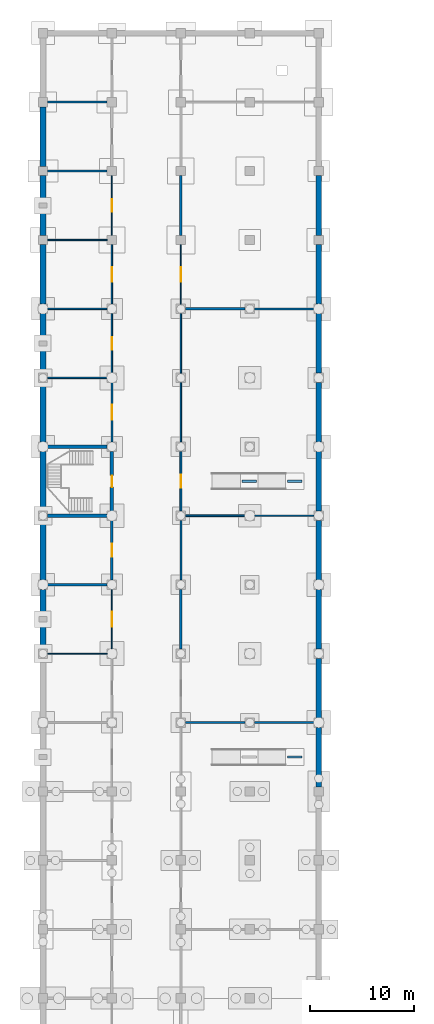
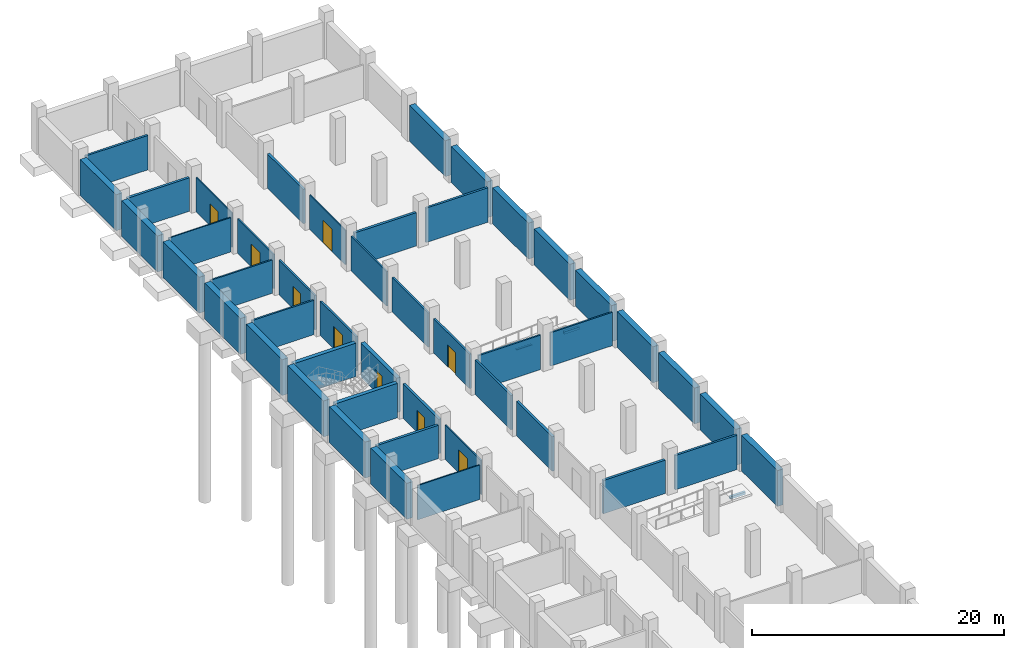
# One storey, part 13 of 18: 49 walls, 9 doors, 9 openings.
"""IFC4 building model written with IfcOpenShell, lengths in metres."""

from ifc_helpers import new_model, si_unit, direction, frame, frame_2d, origin, place, context, subcontext, project, spatial, rectangle, extrude, material, layer, layer_set, type_object, element, fill, save


model = new_model("IFC4")

# Units and contexts
model_context = context("Model", 3, precision=1e-05, world=origin(), true_north=direction((0.0, 1.0)))
body_context = subcontext(model_context, "Body", "Model", "MODEL_VIEW")
ifc_project = project(units=[si_unit("LENGTHUNIT", "METRE"), si_unit("AREAUNIT", "SQUARE_METRE"), si_unit("VOLUMEUNIT", "CUBIC_METRE"), si_unit("PLANEANGLEUNIT", "RADIAN"), si_unit("MASSUNIT", "GRAM", prefix="KILO")], contexts=[model_context])

# Site, building, storey
site_placement = place(None, origin())
site = spatial("IfcSite", under=ifc_project, at=site_placement, CompositionType="ELEMENT")
building_placement = place(site_placement, origin())
building = spatial("IfcBuilding", under=site, at=building_placement, Name="Rusizi Kubbe Research Institute", CompositionType="ELEMENT")
storey_placement = place(building_placement, frame((0.0, 0.0, -4.5)))
storey = spatial("IfcBuildingStorey", under=building, at=storey_placement, Name="B01", CompositionType="ELEMENT", Elevation=-4.5)

# Walls
ifc_material_1 = material(Name="Concrete C45/55", Category="concrete")
ifc_layer_1 = layer(ifc_material_1, 0.35009765625)
ifc_layer_set_1 = layer_set([ifc_layer_1], Name="Concrete C45/55")
wall_type_1 = type_object("IfcWallType", Name="CRW-01", PredefinedType="SHEAR", material=ifc_layer_set_1)
wall_1_placement = place(storey_placement, frame((0.449951171875, 125.39990234375, 0.0), z_axis=(0.0, 0.0, 1.0), x_axis=(1.0, 0.0, 0.0)))
element("IfcWall", 1, at=wall_1_placement, inside=storey, type_object=wall_type_1, Name="Stair Core Shear Wall ST6 B01 S", PredefinedType="SHEAR", context=body_context, shape_type="SweptSolid", body=[
    extrude(rectangle(XDim=5.699951171875, YDim=0.35009765625, at=frame_2d((2.85009765625, 0.0))), origin(), (0.0, 0.0, 1.0), 3.340087890625),
])
wall_2_placement = place(storey_placement, frame((0.449951171875, 132.0, 0.0), z_axis=(0.0, 0.0, 1.0), x_axis=(1.0, 0.0, 0.0)))
element("IfcWall", 2, at=wall_2_placement, inside=storey, type_object=wall_type_1, Name="Stair Core Shear Wall ST6 B01 N", PredefinedType="SHEAR", context=body_context, shape_type="SweptSolid", body=[
    extrude(rectangle(XDim=5.699951171875, YDim=0.35009765625, at=frame_2d((2.85009765625, 0.0))), origin(), (0.0, 0.0, 1.0), 3.239990234375),
])

# Wall, opening, door
wall_3_placement = place(storey_placement, frame((6.60009765625, 125.85009765625, 0.0), z_axis=(0.0, 0.0, 1.0), x_axis=(0.0, 1.0, 0.0)))
wall_3 = element("IfcWall", 3, at=wall_3_placement, inside=storey, type_object=wall_type_1, Name="Stair Core Shear Wall ST6 B01 E", PredefinedType="SHEAR", context=body_context, shape_type="SweptSolid", body=[
    extrude(rectangle(XDim=5.699951171875, YDim=0.35009765625, at=frame_2d((2.85009765625, 0.0))), origin(), (0.0, 0.0, 1.0), 3.340087890625),
])
opening_1_placement = place(wall_3_placement, frame((2.300048828125, 0.0, 0.0)))
opening_1 = element("IfcOpeningElement", 4, at=opening_1_placement, cuts=wall_3, Name="Opening D-01", PredefinedType="OPENING", context=body_context, shape_type="SweptSolid", body=[
    extrude(rectangle(XDim=1.10009765625, YDim=2.14990234375, at=frame_2d((0.550048828125, 1.074951171875))), frame((0.0, 0.18505859375, 0.0), z_axis=(0.0, -1.0, 0.0), x_axis=(1.0, 0.0, 0.0)), (0.0, 0.0, 1.0), 0.3701171875),
])
ifc_material_2 = material(Name="Fire-Rated Steel Frame and Acoustic Timber Leaf", Category="wood")
door_type_1 = type_object("IfcDoorType", Name="ID-STAIR-110", OperationType="NOTDEFINED", PredefinedType="DOOR", material=ifc_material_2)
door_1_placement = place(opening_1_placement, origin())
door_1 = element("IfcDoor", 5, at=door_1_placement, inside=storey, type_object=door_type_1, Name="Exit Stair Door ST6 B01", OperationType="SINGLE_SWING_LEFT", OverallHeight=2.14990234375, OverallWidth=1.10009765625, PredefinedType="DOOR", context=body_context, shape_type="SweptSolid", body=[
    extrude(rectangle(XDim=1.10009765625, YDim=2.14990234375, at=frame_2d((0.550048828125, 1.074951171875))), frame((0.0, 0.02490234375, 0.0), z_axis=(0.0, -1.0, 0.0), x_axis=(1.0, 0.0, 0.0)), (0.0, 0.0, 1.0), 0.050048828125),
])
fill(opening_1, door_1)

# Wall
ifc_material_3 = material(Name="Concrete Blockwork Fire Partition", Category="masonry")
ifc_layer_2 = layer(ifc_material_3, 0.22509765625)
ifc_layer_set_2 = layer_set([ifc_layer_2], Name="Concrete Blockwork Fire Partition")
wall_type_2 = type_object("IfcWallType", Name="IW-01", PredefinedType="PARTITIONING", material=ifc_layer_set_2)
wall_4_placement = place(storey_placement, frame((0.449951171875, 118.800048828125, 0.0), z_axis=(0.0, 0.0, 1.0), x_axis=(1.0, 0.0, 0.0)))
element("IfcWall", 6, at=wall_4_placement, inside=storey, type_object=wall_type_2, Name="Interior Partition Wall B01 H0-18", PredefinedType="PARTITIONING", context=body_context, shape_type="SweptSolid", body=[
    extrude(rectangle(XDim=5.699951171875, YDim=0.22509765625, at=frame_2d((2.85009765625, 0.0))), origin(), (0.0, 0.0, 1.0), 3.239990234375),
])

# Wall, opening, door
wall_5_placement = place(storey_placement, frame((6.60009765625, 119.25, 0.0), z_axis=(0.0, 0.0, 1.0), x_axis=(0.0, 1.0, 0.0)))
wall_5 = element("IfcWall", 7, at=wall_5_placement, inside=storey, type_object=wall_type_2, Name="Interior Partition Wall B01 V1-18", PredefinedType="PARTITIONING", context=body_context, shape_type="SweptSolid", body=[
    extrude(rectangle(XDim=5.699951171875, YDim=0.22509765625, at=frame_2d((2.85009765625, 0.0))), origin(), (0.0, 0.0, 1.0), 3.340087890625),
])
opening_2_placement = place(wall_5_placement, frame((2.239990234375, 0.0, 0.0)))
opening_2 = element("IfcOpeningElement", 8, at=opening_2_placement, cuts=wall_5, Name="Opening D-21", PredefinedType="OPENING", context=body_context, shape_type="SweptSolid", body=[
    extrude(rectangle(XDim=1.219970703125, YDim=2.14990234375, at=frame_2d((0.60986328125, 1.074951171875))), frame((0.0, 0.12255859375, 0.0), z_axis=(0.0, -1.0, 0.0), x_axis=(1.0, 0.0, 0.0)), (0.0, 0.0, 1.0), 0.2451171875),
])
ifc_material_4 = material(Name="Fire-Rated Steel Frame and Acoustic Timber Leaf", Category="wood")
door_type_2 = type_object("IfcDoorType", Name="ID-STR-122", OperationType="NOTDEFINED", PredefinedType="DOOR", material=ifc_material_4)
door_2_placement = place(opening_2_placement, origin())
door_2 = element("IfcDoor", 9, at=door_2_placement, inside=storey, type_object=door_type_2, Name="Door to Staff and Accessible Parking Zone (B01-B01W-18)", OperationType="SINGLE_SWING_RIGHT", OverallHeight=2.14990234375, OverallWidth=1.219970703125, PredefinedType="DOOR", context=body_context, shape_type="SweptSolid", body=[
    extrude(rectangle(XDim=1.219970703125, YDim=2.14990234375, at=frame_2d((0.60986328125, 1.074951171875))), frame((0.0, 0.02490234375, 0.0), z_axis=(0.0, -1.0, 0.0), x_axis=(1.0, 0.0, 0.0)), (0.0, 0.0, 1.0), 0.050048828125),
])
fill(opening_2, door_2)

# Walls
wall_6_placement = place(storey_placement, frame((0.449951171875, 158.39990234375, 0.0), z_axis=(0.0, 0.0, 1.0), x_axis=(1.0, 0.0, 0.0)))
element("IfcWall", 10, at=wall_6_placement, inside=storey, type_object=wall_type_2, Name="Interior Partition Wall B01 H0-24", PredefinedType="PARTITIONING", context=body_context, shape_type="SweptSolid", body=[
    extrude(rectangle(XDim=5.699951171875, YDim=0.22509765625, at=frame_2d((2.85009765625, 0.0))), origin(), (0.0, 0.0, 1.0), 3.239990234375),
])
wall_7_placement = place(storey_placement, frame((13.199951171875, 112.64990234375, 0.0), z_axis=(0.0, 0.0, 1.0), x_axis=(0.0, 1.0, 0.0)))
element("IfcWall", 11, at=wall_7_placement, inside=storey, type_object=wall_type_2, Name="Interior Partition Wall B01 V2-17", PredefinedType="PARTITIONING", context=body_context, shape_type="SweptSolid", body=[
    extrude(rectangle(XDim=5.7001953125, YDim=0.22509765625, at=frame_2d((2.85009765625, 0.0))), origin(), (0.0, 0.0, 1.0), 3.340087890625),
])
wall_8_placement = place(storey_placement, frame((13.199951171875, 152.25, 0.0), z_axis=(0.0, 0.0, 1.0), x_axis=(0.0, 1.0, 0.0)))
element("IfcWall", 12, at=wall_8_placement, inside=storey, type_object=wall_type_2, Name="Interior Partition Wall B01 V2-23", PredefinedType="PARTITIONING", context=body_context, shape_type="SweptSolid", body=[
    extrude(rectangle(XDim=5.699951171875, YDim=0.22509765625, at=frame_2d((2.85009765625, 0.0))), origin(), (0.0, 0.0, 1.0), 3.340087890625),
])
for number, where, z_axis, x_axis, name in (
    (13, (13.64990234375, 105.60009765625, 0.0), (0.0, 0.0, 1.0), (1.0, 0.0, 0.0), "Interior Partition Wall B01 H2-16"),
    (14, (13.64990234375, 145.199951171875, 0.0), (0.0, 0.0, 1.0), (1.0, 0.0, 0.0), "Interior Partition Wall B01 H2-22"),
):
    element("IfcWall", number, at=place(storey_placement, frame(where, z_axis=z_axis, x_axis=x_axis)), inside=storey, type_object=wall_type_2, Name=name, PredefinedType="PARTITIONING", context=body_context, shape_type="SweptSolid", body=[
        extrude(rectangle(XDim=5.7001953125, YDim=0.22509765625, at=frame_2d((2.85009765625, 0.0))), origin(), (0.0, 0.0, 1.0), 3.239990234375),
    ])
ifc_material_5 = material(Name="Insulated Cleanroom Partition", Category="masonry")
ifc_layer_3 = layer(ifc_material_5, 0.195068359375)
ifc_layer_set_3 = layer_set([ifc_layer_3], Name="Insulated Cleanroom Partition")
wall_type_3 = type_object("IfcWallType", Name="IW-02", PredefinedType="PARTITIONING", material=ifc_layer_set_3)
for number, where, z_axis, x_axis, name in (
    (15, (0.449951171875, 165.0, 0.0), (0.0, 0.0, 1.0), (1.0, 0.0, 0.0), "Interior Partition Wall B01 H0-25"),
    (16, (13.199951171875, 119.25, 0.0), (0.0, 0.0, 1.0), (0.0, 1.0, 0.0), "Interior Partition Wall B01 V2-18"),
    (17, (20.25, 105.60009765625, 0.0), (0.0, 0.0, 1.0), (1.0, 0.0, 0.0), "Interior Partition Wall B01 H3-16"),
    (18, (20.25, 145.199951171875, 0.0), (0.0, 0.0, 1.0), (1.0, 0.0, 0.0), "Interior Partition Wall B01 H3-22"),
):
    element("IfcWall", number, at=place(storey_placement, frame(where, z_axis=z_axis, x_axis=x_axis)), inside=storey, type_object=wall_type_3, Name=name, PredefinedType="PARTITIONING", context=body_context, shape_type="SweptSolid", body=[
        extrude(rectangle(XDim=5.699951171875, YDim=0.195068359375, at=frame_2d((2.85009765625, 0.0))), origin(), (0.0, 0.0, 1.0), 3.340087890625),
    ])

# Wall, opening, door
ifc_material_6 = material(Name="Acoustic Laboratory Partition", Category="masonry")
ifc_layer_4 = layer(ifc_material_6, 0.175048828125)
ifc_layer_set_4 = layer_set([ifc_layer_4], Name="Acoustic Laboratory Partition")
wall_type_4 = type_object("IfcWallType", Name="IW-03", PredefinedType="PARTITIONING", material=ifc_layer_set_4)
wall_9_placement = place(storey_placement, frame((6.60009765625, 132.449951171875, 0.0), z_axis=(0.0, 0.0, 1.0), x_axis=(0.0, 1.0, 0.0)))
wall_9 = element("IfcWall", 19, at=wall_9_placement, inside=storey, type_object=wall_type_4, Name="Interior Partition Wall B01 V1-20", PredefinedType="PARTITIONING", context=body_context, shape_type="SweptSolid", body=[
    extrude(rectangle(XDim=5.699951171875, YDim=0.175048828125, at=frame_2d((2.85009765625, 0.0))), origin(), (0.0, 0.0, 1.0), 3.340087890625),
])
opening_3_placement = place(wall_9_placement, frame((2.139892578125, 0.0, 0.0)))
opening_3 = element("IfcOpeningElement", 20, at=opening_3_placement, cuts=wall_9, Name="Opening D-22", PredefinedType="OPENING", context=body_context, shape_type="SweptSolid", body=[
    extrude(rectangle(XDim=1.419921875, YDim=2.199951171875, at=frame_2d((0.7099609375, 1.10009765625))), frame((0.0, 0.097412109375, 0.0), z_axis=(0.0, -1.0, 0.0), x_axis=(1.0, 0.0, 0.0)), (0.0, 0.0, 1.0), 0.195068359375),
])
ifc_material_7 = material(Name="Fire-Rated Steel Frame and Acoustic Timber Leaf", Category="wood")
door_type_3 = type_object("IfcDoorType", Name="ID-STR-142", OperationType="DOUBLE_DOOR_SINGLE_SWING", PredefinedType="DOOR", material=ifc_material_7)
door_3_placement = place(opening_3_placement, origin())
door_3 = element("IfcDoor", 21, at=door_3_placement, inside=storey, type_object=door_type_3, Name="Door to Staff and Accessible Parking Zone (B01-B01W-20)", OperationType="DOUBLE_DOOR_SINGLE_SWING", OverallHeight=2.199951171875, OverallWidth=1.419921875, PredefinedType="DOOR", context=body_context, shape_type="SweptSolid", body=[
    extrude(rectangle(XDim=1.419921875, YDim=2.199951171875, at=frame_2d((0.7099609375, 1.10009765625))), frame((0.0, 0.02490234375, 0.0), z_axis=(0.0, -1.0, 0.0), x_axis=(1.0, 0.0, 0.0)), (0.0, 0.0, 1.0), 0.050048828125),
])
fill(opening_3, door_3)

wall_10_placement = place(storey_placement, frame((13.199951171875, 125.85009765625, 0.0), z_axis=(0.0, 0.0, 1.0), x_axis=(0.0, 1.0, 0.0)))
wall_10 = element("IfcWall", 22, at=wall_10_placement, inside=storey, type_object=wall_type_4, Name="Interior Partition Wall B01 V2-19", PredefinedType="PARTITIONING", context=body_context, shape_type="SweptSolid", body=[
    extrude(rectangle(XDim=5.699951171875, YDim=0.175048828125, at=frame_2d((2.85009765625, 0.0))), origin(), (0.0, 0.0, 1.0), 3.340087890625),
])
opening_4_placement = place(wall_10_placement, frame((2.239990234375, 0.0, 0.0)))
opening_4 = element("IfcOpeningElement", 23, at=opening_4_placement, cuts=wall_10, Name="Opening D-21", PredefinedType="OPENING", context=body_context, shape_type="SweptSolid", body=[
    extrude(rectangle(XDim=1.219970703125, YDim=2.14990234375, at=frame_2d((0.60986328125, 1.074951171875))), frame((0.0, 0.097412109375, 0.0), z_axis=(0.0, -1.0, 0.0), x_axis=(1.0, 0.0, 0.0)), (0.0, 0.0, 1.0), 0.195068359375),
])
door_4_placement = place(opening_4_placement, origin())
door_4 = element("IfcDoor", 24, at=door_4_placement, inside=storey, type_object=door_type_2, Name="Door to Basement Vehicle Parking Hall (B01-NW-07)", OperationType="SINGLE_SWING_RIGHT", OverallHeight=2.14990234375, OverallWidth=1.219970703125, PredefinedType="DOOR", context=body_context, shape_type="SweptSolid", body=[
    extrude(rectangle(XDim=1.219970703125, YDim=2.14990234375, at=frame_2d((0.60986328125, 1.074951171875))), frame((0.0, 0.02490234375, 0.0), z_axis=(0.0, -1.0, 0.0), x_axis=(1.0, 0.0, 0.0)), (0.0, 0.0, 1.0), 0.050048828125),
])
fill(opening_4, door_4)

# Wall
ifc_material_8 = material(Name="Fire-Rated Corridor Partition", Category="masonry")
ifc_layer_5 = layer(ifc_material_8, 0.155029296875)
ifc_layer_set_5 = layer_set([ifc_layer_5], Name="Fire-Rated Corridor Partition")
wall_type_5 = type_object("IfcWallType", Name="IW-04", PredefinedType="PARTITIONING", material=ifc_layer_set_5)
wall_11_placement = place(storey_placement, frame((0.449951171875, 138.60009765625, 0.0), z_axis=(0.0, 0.0, 1.0), x_axis=(1.0, 0.0, 0.0)))
element("IfcWall", 25, at=wall_11_placement, inside=storey, type_object=wall_type_5, Name="Interior Partition Wall B01 H0-21", PredefinedType="PARTITIONING", context=body_context, shape_type="SweptSolid", body=[
    extrude(rectangle(XDim=5.699951171875, YDim=0.155029296875, at=frame_2d((2.85009765625, 0.0))), origin(), (0.0, 0.0, 1.0), 3.340087890625),
])

# Wall, opening, door
wall_12_placement = place(storey_placement, frame((6.60009765625, 139.050048828125, 0.0), z_axis=(0.0, 0.0, 1.0), x_axis=(0.0, 1.0, 0.0)))
wall_12 = element("IfcWall", 26, at=wall_12_placement, inside=storey, type_object=wall_type_5, Name="Interior Partition Wall B01 V1-21", PredefinedType="PARTITIONING", context=body_context, shape_type="SweptSolid", body=[
    extrude(rectangle(XDim=5.699951171875, YDim=0.155029296875, at=frame_2d((2.85009765625, 0.0))), origin(), (0.0, 0.0, 1.0), 3.340087890625),
])
opening_5_placement = place(wall_12_placement, frame((2.239990234375, 0.0, 0.0)))
opening_5 = element("IfcOpeningElement", 27, at=opening_5_placement, cuts=wall_12, Name="Opening D-21", PredefinedType="OPENING", context=body_context, shape_type="SweptSolid", body=[
    extrude(rectangle(XDim=1.219970703125, YDim=2.14990234375, at=frame_2d((0.60986328125, 1.074951171875))), frame((0.0, 0.08740234375, 0.0), z_axis=(0.0, -1.0, 0.0), x_axis=(1.0, 0.0, 0.0)), (0.0, 0.0, 1.0), 0.175048828125),
])
door_5_placement = place(opening_5_placement, origin())
door_5 = element("IfcDoor", 28, at=door_5_placement, inside=storey, type_object=door_type_2, Name="Door to Staff and Accessible Parking Zone (B01-B01W-21)", OperationType="SINGLE_SWING_RIGHT", OverallHeight=2.14990234375, OverallWidth=1.219970703125, PredefinedType="DOOR", context=body_context, shape_type="SweptSolid", body=[
    extrude(rectangle(XDim=1.219970703125, YDim=2.14990234375, at=frame_2d((0.60986328125, 1.074951171875))), frame((0.0, 0.02490234375, 0.0), z_axis=(0.0, -1.0, 0.0), x_axis=(1.0, 0.0, 0.0)), (0.0, 0.0, 1.0), 0.050048828125),
])
fill(opening_5, door_5)

# Walls
wall_13_placement = place(storey_placement, frame((13.199951171875, 132.449951171875, 0.0), z_axis=(0.0, 0.0, 1.0), x_axis=(0.0, 1.0, 0.0)))
element("IfcWall", 29, at=wall_13_placement, inside=storey, type_object=wall_type_5, Name="Interior Partition Wall B01 V2-20", PredefinedType="PARTITIONING", context=body_context, shape_type="SweptSolid", body=[
    extrude(rectangle(XDim=5.699951171875, YDim=0.155029296875, at=frame_2d((2.85009765625, 0.0))), origin(), (0.0, 0.0, 1.0), 3.340087890625),
])
wall_14_placement = place(storey_placement, frame((13.64990234375, 125.39990234375, 0.0), z_axis=(0.0, 0.0, 1.0), x_axis=(1.0, 0.0, 0.0)))
element("IfcWall", 30, at=wall_14_placement, inside=storey, type_object=wall_type_5, Name="Interior Partition Wall B01 H2-19", PredefinedType="PARTITIONING", context=body_context, shape_type="SweptSolid", body=[
    extrude(rectangle(XDim=5.7001953125, YDim=0.155029296875, at=frame_2d((2.85009765625, 0.0))), origin(), (0.0, 0.0, 1.0), 3.340087890625),
])
ifc_material_9 = material(Name="Write-up Glazed Acoustic Partition", Category="masonry")
ifc_layer_6 = layer(ifc_material_9, 0.139892578125)
ifc_layer_set_6 = layer_set([ifc_layer_6], Name="Write-up Glazed Acoustic Partition")
wall_type_6 = type_object("IfcWallType", Name="IW-05", PredefinedType="PARTITIONING", material=ifc_layer_set_6)
wall_15_placement = place(storey_placement, frame((0.449951171875, 145.199951171875, 0.0), z_axis=(0.0, 0.0, 1.0), x_axis=(1.0, 0.0, 0.0)))
element("IfcWall", 31, at=wall_15_placement, inside=storey, type_object=wall_type_6, Name="Interior Partition Wall B01 H0-22", PredefinedType="PARTITIONING", context=body_context, shape_type="SweptSolid", body=[
    extrude(rectangle(XDim=5.699951171875, YDim=0.139892578125, at=frame_2d((2.85009765625, 0.0))), origin(), (0.0, 0.0, 1.0), 3.239990234375),
])

# Wall, opening, door
wall_16_placement = place(storey_placement, frame((6.60009765625, 145.64990234375, 0.0), z_axis=(0.0, 0.0, 1.0), x_axis=(0.0, 1.0, 0.0)))
wall_16 = element("IfcWall", 32, at=wall_16_placement, inside=storey, type_object=wall_type_6, Name="Interior Partition Wall B01 V1-22", PredefinedType="PARTITIONING", context=body_context, shape_type="SweptSolid", body=[
    extrude(rectangle(XDim=5.7001953125, YDim=0.139892578125, at=frame_2d((2.85009765625, 0.0))), origin(), (0.0, 0.0, 1.0), 3.340087890625),
])
opening_6_placement = place(wall_16_placement, frame((2.139892578125, 0.0, 0.0)))
opening_6 = element("IfcOpeningElement", 33, at=opening_6_placement, cuts=wall_16, Name="Opening D-22", PredefinedType="OPENING", context=body_context, shape_type="SweptSolid", body=[
    extrude(rectangle(XDim=1.419921875, YDim=2.199951171875, at=frame_2d((0.7099609375, 1.10009765625))), frame((0.0, 0.079833984375, 0.0), z_axis=(0.0, -1.0, 0.0), x_axis=(1.0, 0.0, 0.0)), (0.0, 0.0, 1.0), 0.159912109375),
])
door_6_placement = place(opening_6_placement, origin())
door_6 = element("IfcDoor", 34, at=door_6_placement, inside=storey, type_object=door_type_3, Name="Door to Staff and Accessible Parking Zone (B01-B01W-22)", OperationType="DOUBLE_DOOR_SINGLE_SWING", OverallHeight=2.199951171875, OverallWidth=1.419921875, PredefinedType="DOOR", context=body_context, shape_type="SweptSolid", body=[
    extrude(rectangle(XDim=1.419921875, YDim=2.199951171875, at=frame_2d((0.7099609375, 1.10009765625))), frame((0.0, 0.02490234375, 0.0), z_axis=(0.0, -1.0, 0.0), x_axis=(1.0, 0.0, 0.0)), (0.0, 0.0, 1.0), 0.050048828125),
])
fill(opening_6, door_6)

# Walls
wall_17_placement = place(storey_placement, frame((13.199951171875, 139.050048828125, 0.0), z_axis=(0.0, 0.0, 1.0), x_axis=(0.0, 1.0, 0.0)))
element("IfcWall", 35, at=wall_17_placement, inside=storey, type_object=wall_type_6, Name="Interior Partition Wall B01 V2-21", PredefinedType="PARTITIONING", context=body_context, shape_type="SweptSolid", body=[
    extrude(rectangle(XDim=5.699951171875, YDim=0.139892578125, at=frame_2d((2.85009765625, 0.0))), origin(), (0.0, 0.0, 1.0), 3.340087890625),
])
wall_18_placement = place(storey_placement, frame((20.25, 125.39990234375, 0.0), z_axis=(0.0, 0.0, 1.0), x_axis=(1.0, 0.0, 0.0)))
element("IfcWall", 36, at=wall_18_placement, inside=storey, type_object=wall_type_6, Name="Interior Partition Wall B01 H3-19", PredefinedType="PARTITIONING", context=body_context, shape_type="SweptSolid", body=[
    extrude(rectangle(XDim=5.699951171875, YDim=0.139892578125, at=frame_2d((2.85009765625, 0.0))), origin(), (0.0, 0.0, 1.0), 3.239990234375),
])
ifc_material_10 = material(Name="Sub-Suite Fire Partition", Category="masonry")
ifc_layer_7 = layer(ifc_material_10, 0.110107421875)
ifc_layer_set_7 = layer_set([ifc_layer_7], Name="Sub-Suite Fire Partition")
wall_type_7 = type_object("IfcWallType", Name="IW-07", PredefinedType="PARTITIONING", material=ifc_layer_set_7)
wall_19_placement = place(storey_placement, frame((0.449951171875, 112.199951171875, 0.0), z_axis=(0.0, 0.0, 1.0), x_axis=(1.0, 0.0, 0.0)))
element("IfcWall", 37, at=wall_19_placement, inside=storey, type_object=wall_type_7, Name="Interior Partition Wall B01 H0-17", PredefinedType="PARTITIONING", context=body_context, shape_type="SweptSolid", body=[
    extrude(rectangle(XDim=5.699951171875, YDim=0.110107421875, at=frame_2d((2.85009765625, 0.0))), origin(), (0.0, 0.0, 1.0), 3.340087890625),
])

# Wall, opening, door
wall_20_placement = place(storey_placement, frame((6.60009765625, 112.64990234375, 0.0), z_axis=(0.0, 0.0, 1.0), x_axis=(0.0, 1.0, 0.0)))
wall_20 = element("IfcWall", 38, at=wall_20_placement, inside=storey, type_object=wall_type_7, Name="Interior Partition Wall B01 V1-17", PredefinedType="PARTITIONING", context=body_context, shape_type="SweptSolid", body=[
    extrude(rectangle(XDim=5.7001953125, YDim=0.110107421875, at=frame_2d((2.85009765625, 0.0))), origin(), (0.0, 0.0, 1.0), 3.340087890625),
])
opening_7_placement = place(wall_20_placement, frame((2.139892578125, 0.0, 0.0)))
opening_7 = element("IfcOpeningElement", 39, at=opening_7_placement, cuts=wall_20, Name="Opening D-22", PredefinedType="OPENING", context=body_context, shape_type="SweptSolid", body=[
    extrude(rectangle(XDim=1.419921875, YDim=2.199951171875, at=frame_2d((0.7099609375, 1.10009765625))), frame((0.0, 0.06494140625, 0.0), z_axis=(0.0, -1.0, 0.0), x_axis=(1.0, 0.0, 0.0)), (0.0, 0.0, 1.0), 0.130126953125),
])
door_7_placement = place(opening_7_placement, origin())
door_7 = element("IfcDoor", 40, at=door_7_placement, inside=storey, type_object=door_type_3, Name="Door to Staff and Accessible Parking Zone (B01-B01W-17)", OperationType="DOUBLE_DOOR_SINGLE_SWING", OverallHeight=2.199951171875, OverallWidth=1.419921875, PredefinedType="DOOR", context=body_context, shape_type="SweptSolid", body=[
    extrude(rectangle(XDim=1.419921875, YDim=2.199951171875, at=frame_2d((0.7099609375, 1.10009765625))), frame((0.0, 0.02490234375, 0.0), z_axis=(0.0, -1.0, 0.0), x_axis=(1.0, 0.0, 0.0)), (0.0, 0.0, 1.0), 0.050048828125),
])
fill(opening_7, door_7)

# Wall
wall_21_placement = place(storey_placement, frame((0.449951171875, 151.800048828125, 0.0), z_axis=(0.0, 0.0, 1.0), x_axis=(1.0, 0.0, 0.0)))
element("IfcWall", 41, at=wall_21_placement, inside=storey, type_object=wall_type_7, Name="Interior Partition Wall B01 H0-23", PredefinedType="PARTITIONING", context=body_context, shape_type="SweptSolid", body=[
    extrude(rectangle(XDim=5.699951171875, YDim=0.110107421875, at=frame_2d((2.85009765625, 0.0))), origin(), (0.0, 0.0, 1.0), 3.340087890625),
])

# Wall, opening, door
wall_22_placement = place(storey_placement, frame((6.60009765625, 152.25, 0.0), z_axis=(0.0, 0.0, 1.0), x_axis=(0.0, 1.0, 0.0)))
wall_22 = element("IfcWall", 42, at=wall_22_placement, inside=storey, type_object=wall_type_7, Name="Interior Partition Wall B01 V1-23", PredefinedType="PARTITIONING", context=body_context, shape_type="SweptSolid", body=[
    extrude(rectangle(XDim=5.699951171875, YDim=0.110107421875, at=frame_2d((2.85009765625, 0.0))), origin(), (0.0, 0.0, 1.0), 3.340087890625),
])
opening_8_placement = place(wall_22_placement, frame((2.239990234375, 0.0, 0.0)))
opening_8 = element("IfcOpeningElement", 43, at=opening_8_placement, cuts=wall_22, Name="Opening D-21", PredefinedType="OPENING", context=body_context, shape_type="SweptSolid", body=[
    extrude(rectangle(XDim=1.219970703125, YDim=2.14990234375, at=frame_2d((0.60986328125, 1.074951171875))), frame((0.0, 0.06494140625, 0.0), z_axis=(0.0, -1.0, 0.0), x_axis=(1.0, 0.0, 0.0)), (0.0, 0.0, 1.0), 0.130126953125),
])
door_8_placement = place(opening_8_placement, origin())
door_8 = element("IfcDoor", 44, at=door_8_placement, inside=storey, type_object=door_type_2, Name="Door to Staff and Accessible Parking Zone (B01-B01W-23)", OperationType="SINGLE_SWING_RIGHT", OverallHeight=2.14990234375, OverallWidth=1.219970703125, PredefinedType="DOOR", context=body_context, shape_type="SweptSolid", body=[
    extrude(rectangle(XDim=1.219970703125, YDim=2.14990234375, at=frame_2d((0.60986328125, 1.074951171875))), frame((0.0, 0.02490234375, 0.0), z_axis=(0.0, -1.0, 0.0), x_axis=(1.0, 0.0, 0.0)), (0.0, 0.0, 1.0), 0.050048828125),
])
fill(opening_8, door_8)

wall_23_placement = place(storey_placement, frame((13.199951171875, 145.64990234375, 0.0), z_axis=(0.0, 0.0, 1.0), x_axis=(0.0, 1.0, 0.0)))
wall_23 = element("IfcWall", 45, at=wall_23_placement, inside=storey, type_object=wall_type_7, Name="Interior Partition Wall B01 V2-22", PredefinedType="PARTITIONING", context=body_context, shape_type="SweptSolid", body=[
    extrude(rectangle(XDim=5.7001953125, YDim=0.110107421875, at=frame_2d((2.85009765625, 0.0))), origin(), (0.0, 0.0, 1.0), 3.340087890625),
])
opening_9_placement = place(wall_23_placement, frame((2.139892578125, 0.0, 0.0)))
opening_9 = element("IfcOpeningElement", 46, at=opening_9_placement, cuts=wall_23, Name="Opening D-22", PredefinedType="OPENING", context=body_context, shape_type="SweptSolid", body=[
    extrude(rectangle(XDim=1.419921875, YDim=2.199951171875, at=frame_2d((0.7099609375, 1.10009765625))), frame((0.0, 0.06494140625, 0.0), z_axis=(0.0, -1.0, 0.0), x_axis=(1.0, 0.0, 0.0)), (0.0, 0.0, 1.0), 0.130126953125),
])
door_9_placement = place(opening_9_placement, origin())
door_9 = element("IfcDoor", 47, at=door_9_placement, inside=storey, type_object=door_type_3, Name="Door to Basement Vehicle Parking Hall (B01-NW-08)", OperationType="DOUBLE_DOOR_SINGLE_SWING", OverallHeight=2.199951171875, OverallWidth=1.419921875, PredefinedType="DOOR", context=body_context, shape_type="SweptSolid", body=[
    extrude(rectangle(XDim=1.419921875, YDim=2.199951171875, at=frame_2d((0.7099609375, 1.10009765625))), frame((0.0, 0.02490234375, 0.0), z_axis=(0.0, -1.0, 0.0), x_axis=(1.0, 0.0, 0.0)), (0.0, 0.0, 1.0), 0.050048828125),
])
fill(opening_9, door_9)

# Walls
ifc_material_11 = material(Name="Concrete C45/55", Category="concrete")
ifc_layer_8 = layer(ifc_material_11, 0.56005859375)
ifc_layer_set_8 = layer_set([ifc_layer_8], Name="Concrete C45/55")
wall_type_8 = type_object("IfcWallType", Name="RW-01", PredefinedType="USERDEFINED", material=ifc_layer_set_8)
wall_24_placement = place(storey_placement, frame((0.0, 112.64990234375, 0.0), z_axis=(0.0, 0.0, 1.0), x_axis=(0.0, 1.0, 0.0)))
element("IfcWall", 48, at=wall_24_placement, inside=storey, type_object=wall_type_8, Name="Basement Retaining Wall B01 V0-17", ObjectType="RETAINING WALL", PredefinedType="USERDEFINED", context=body_context, shape_type="SweptSolid", body=[
    extrude(rectangle(XDim=5.7001953125, YDim=0.56005859375, at=frame_2d((2.85009765625, 0.0))), origin(), (0.0, 0.0, 1.0), 3.489990234375),
])
for number, where, z_axis, x_axis, name in (
    (49, (0.0, 119.25, 0.0), (0.0, 0.0, 1.0), (0.0, 1.0, 0.0), "Basement Retaining Wall B01 V0-18"),
    (50, (0.0, 125.85009765625, 0.0), (0.0, 0.0, 1.0), (0.0, 1.0, 0.0), "Basement Retaining Wall B01 V0-19"),
    (51, (0.0, 132.449951171875, 0.0), (0.0, 0.0, 1.0), (0.0, 1.0, 0.0), "Basement Retaining Wall B01 V0-20"),
    (52, (0.0, 139.050048828125, 0.0), (0.0, 0.0, 1.0), (0.0, 1.0, 0.0), "Basement Retaining Wall B01 V0-21"),
):
    element("IfcWall", number, at=place(storey_placement, frame(where, z_axis=z_axis, x_axis=x_axis)), inside=storey, type_object=wall_type_8, Name=name, ObjectType="RETAINING WALL", PredefinedType="USERDEFINED", context=body_context, shape_type="SweptSolid", body=[
        extrude(rectangle(XDim=5.699951171875, YDim=0.56005859375, at=frame_2d((2.85009765625, 0.0))), origin(), (0.0, 0.0, 1.0), 3.489990234375),
    ])
wall_25_placement = place(storey_placement, frame((0.0, 145.64990234375, 0.0), z_axis=(0.0, 0.0, 1.0), x_axis=(0.0, 1.0, 0.0)))
element("IfcWall", 53, at=wall_25_placement, inside=storey, type_object=wall_type_8, Name="Basement Retaining Wall B01 V0-22", ObjectType="RETAINING WALL", PredefinedType="USERDEFINED", context=body_context, shape_type="SweptSolid", body=[
    extrude(rectangle(XDim=5.7001953125, YDim=0.56005859375, at=frame_2d((2.85009765625, 0.0))), origin(), (0.0, 0.0, 1.0), 3.489990234375),
])
for number, where, z_axis, x_axis, name in (
    (54, (0.0, 152.25, 0.0), (0.0, 0.0, 1.0), (0.0, 1.0, 0.0), "Basement Retaining Wall B01 V0-23"),
    (55, (0.0, 158.85009765625, 0.0), (0.0, 0.0, 1.0), (0.0, 1.0, 0.0), "Basement Retaining Wall B01 V0-24"),
):
    element("IfcWall", number, at=place(storey_placement, frame(where, z_axis=z_axis, x_axis=x_axis)), inside=storey, type_object=wall_type_8, Name=name, ObjectType="RETAINING WALL", PredefinedType="USERDEFINED", context=body_context, shape_type="SweptSolid", body=[
        extrude(rectangle(XDim=5.699951171875, YDim=0.56005859375, at=frame_2d((2.85009765625, 0.0))), origin(), (0.0, 0.0, 1.0), 3.489990234375),
    ])
ifc_material_12 = material(Name="Concrete C45/55", Category="concrete")
ifc_layer_9 = layer(ifc_material_12, 0.52001953125)
ifc_layer_set_9 = layer_set([ifc_layer_9], Name="Concrete C45/55")
wall_type_9 = type_object("IfcWallType", Name="RW-02", PredefinedType="USERDEFINED", material=ifc_layer_set_9)
for number, where, z_axis, x_axis, name in (
    (56, (26.39990234375, 99.449951171875, 0.0), (0.0, 0.0, 1.0), (0.0, 1.0, 0.0), "Basement Retaining Wall B01 V4-15"),
    (57, (26.39990234375, 106.050048828125, 0.0), (0.0, 0.0, 1.0), (0.0, 1.0, 0.0), "Basement Retaining Wall B01 V4-16"),
):
    element("IfcWall", number, at=place(storey_placement, frame(where, z_axis=z_axis, x_axis=x_axis)), inside=storey, type_object=wall_type_9, Name=name, ObjectType="RETAINING WALL", PredefinedType="USERDEFINED", context=body_context, shape_type="SweptSolid", body=[
        extrude(rectangle(XDim=5.699951171875, YDim=0.52001953125, at=frame_2d((2.85009765625, 0.0))), origin(), (0.0, 0.0, 1.0), 3.489990234375),
    ])
wall_26_placement = place(storey_placement, frame((26.39990234375, 112.64990234375, 0.0), z_axis=(0.0, 0.0, 1.0), x_axis=(0.0, 1.0, 0.0)))
element("IfcWall", 58, at=wall_26_placement, inside=storey, type_object=wall_type_9, Name="Basement Retaining Wall B01 V4-17", ObjectType="RETAINING WALL", PredefinedType="USERDEFINED", context=body_context, shape_type="SweptSolid", body=[
    extrude(rectangle(XDim=5.7001953125, YDim=0.52001953125, at=frame_2d((2.85009765625, 0.0))), origin(), (0.0, 0.0, 1.0), 3.489990234375),
])
for number, where, z_axis, x_axis, name in (
    (59, (26.39990234375, 119.25, 0.0), (0.0, 0.0, 1.0), (0.0, 1.0, 0.0), "Basement Retaining Wall B01 V4-18"),
    (60, (26.39990234375, 125.85009765625, 0.0), (0.0, 0.0, 1.0), (0.0, 1.0, 0.0), "Basement Retaining Wall B01 V4-19"),
    (61, (26.39990234375, 132.449951171875, 0.0), (0.0, 0.0, 1.0), (0.0, 1.0, 0.0), "Basement Retaining Wall B01 V4-20"),
    (62, (26.39990234375, 139.050048828125, 0.0), (0.0, 0.0, 1.0), (0.0, 1.0, 0.0), "Basement Retaining Wall B01 V4-21"),
):
    element("IfcWall", number, at=place(storey_placement, frame(where, z_axis=z_axis, x_axis=x_axis)), inside=storey, type_object=wall_type_9, Name=name, ObjectType="RETAINING WALL", PredefinedType="USERDEFINED", context=body_context, shape_type="SweptSolid", body=[
        extrude(rectangle(XDim=5.699951171875, YDim=0.52001953125, at=frame_2d((2.85009765625, 0.0))), origin(), (0.0, 0.0, 1.0), 3.489990234375),
    ])
wall_27_placement = place(storey_placement, frame((26.39990234375, 145.64990234375, 0.0), z_axis=(0.0, 0.0, 1.0), x_axis=(0.0, 1.0, 0.0)))
element("IfcWall", 63, at=wall_27_placement, inside=storey, type_object=wall_type_9, Name="Basement Retaining Wall B01 V4-22", ObjectType="RETAINING WALL", PredefinedType="USERDEFINED", context=body_context, shape_type="SweptSolid", body=[
    extrude(rectangle(XDim=5.7001953125, YDim=0.52001953125, at=frame_2d((2.85009765625, 0.0))), origin(), (0.0, 0.0, 1.0), 3.489990234375),
])
wall_28_placement = place(storey_placement, frame((26.39990234375, 152.25, 0.0), z_axis=(0.0, 0.0, 1.0), x_axis=(0.0, 1.0, 0.0)))
element("IfcWall", 64, at=wall_28_placement, inside=storey, type_object=wall_type_9, Name="Basement Retaining Wall B01 V4-23", ObjectType="RETAINING WALL", PredefinedType="USERDEFINED", context=body_context, shape_type="SweptSolid", body=[
    extrude(rectangle(XDim=5.699951171875, YDim=0.52001953125, at=frame_2d((2.85009765625, 0.0))), origin(), (0.0, 0.0, 1.0), 3.489990234375),
])
ifc_material_13 = material(Name="Concrete C40/50", Category="concrete")
ifc_layer_10 = layer(ifc_material_13, 0.2099609375)
ifc_layer_set_10 = layer_set([ifc_layer_10], Name="Concrete C40/50")
wall_type_10 = type_object("IfcWallType", Name="RW-ISTEP210", PredefinedType="SOLIDWALL", material=ifc_layer_set_10)
wall_29_placement = place(storey_placement, frame((23.39990234375, 102.300048828125, 0.0), z_axis=(0.0, 0.0, 1.0), x_axis=(1.0, 0.0, 0.0)))
element("IfcWall", 65, at=wall_29_placement, inside=storey, type_object=wall_type_10, Name="Ramp Plinth Bearing Wall RAMP-B01-01-2", PredefinedType="SOLIDWALL", context=body_context, shape_type="SweptSolid", body=[
    extrude(rectangle(XDim=1.400146484375, YDim=0.2099609375, at=frame_2d((0.7001953125, 0.0))), origin(), (0.0, 0.0, 1.0), 0.239990234375),
])
wall_30_placement = place(storey_placement, frame((19.0400390625, 128.699951171875, 0.0), z_axis=(0.0, 0.0, 1.0), x_axis=(1.0, 0.0, 0.0)))
element("IfcWall", 66, at=wall_30_placement, inside=storey, type_object=wall_type_10, Name="Ramp Plinth Bearing Wall RAMP-B01-02-1", PredefinedType="SOLIDWALL", context=body_context, shape_type="SweptSolid", body=[
    extrude(rectangle(XDim=1.39990234375, YDim=0.2099609375, at=frame_2d((0.699951171875, 0.0))), origin(), (0.0, 0.0, 1.0), 0.030029296875),
])
wall_31_placement = place(storey_placement, frame((23.39990234375, 128.699951171875, 0.0), z_axis=(0.0, 0.0, 1.0), x_axis=(1.0, 0.0, 0.0)))
element("IfcWall", 67, at=wall_31_placement, inside=storey, type_object=wall_type_10, Name="Ramp Plinth Bearing Wall RAMP-B01-02-2", PredefinedType="SOLIDWALL", context=body_context, shape_type="SweptSolid", body=[
    extrude(rectangle(XDim=1.400146484375, YDim=0.2099609375, at=frame_2d((0.7001953125, 0.0))), origin(), (0.0, 0.0, 1.0), 0.239990234375),
])

save(model, "model.ifc")
